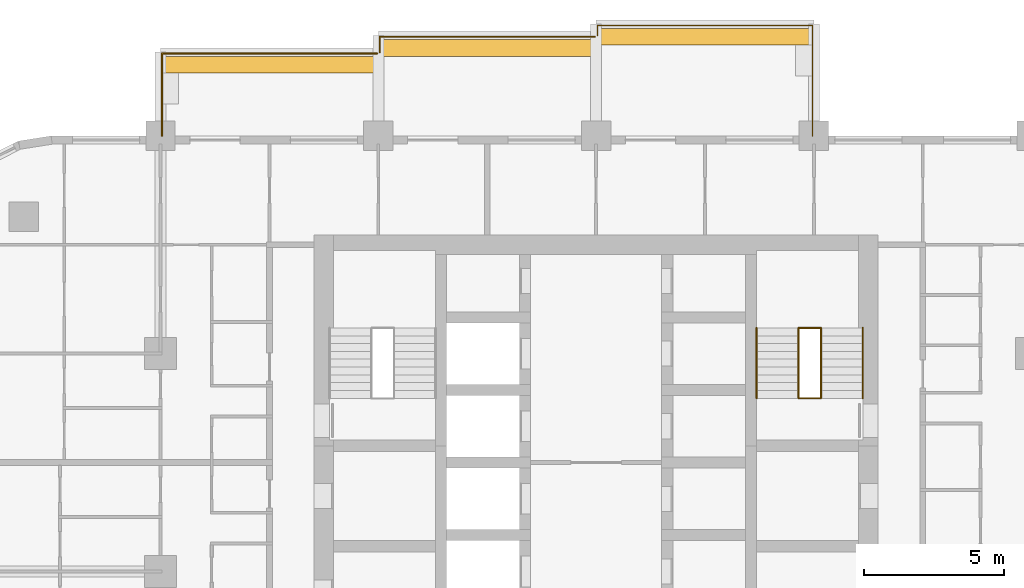
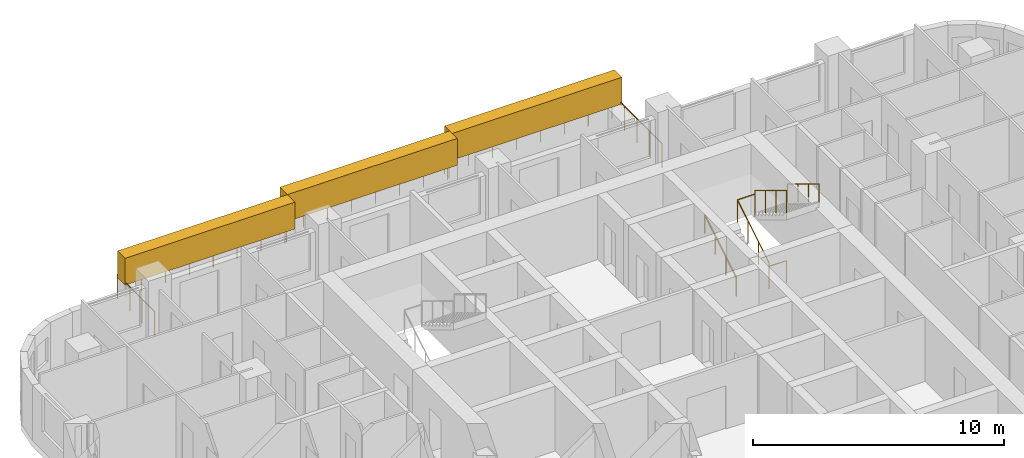
# One storey, part 17 of 17: 9 railings, 3 coverings, 1 element without a shape of its own.
"""IFC4 building model written with IfcOpenShell, lengths in metres."""

from ifc_helpers import new_model, si_unit, direction, frame, origin, origin_2d, place, context, subcontext, project, spatial, rectangle, circle, extrude, material, layer, layer_set, type_object, element, aggregate, save


model = new_model("IFC4")

# Units and contexts
model_context = context("Model", 3, precision=1e-05, world=origin(), true_north=direction((0.0, 1.0)))
body_context = subcontext(model_context, "Body", "Model", "MODEL_VIEW")
ifc_project = project(units=[si_unit("LENGTHUNIT", "METRE"), si_unit("AREAUNIT", "SQUARE_METRE"), si_unit("VOLUMEUNIT", "CUBIC_METRE"), si_unit("PLANEANGLEUNIT", "RADIAN"), si_unit("MASSUNIT", "GRAM", prefix="KILO")], contexts=[model_context])

# Site, building, storey
site_placement = place(None, origin())
site = spatial("IfcSite", under=ifc_project, at=site_placement, CompositionType="ELEMENT")
building_placement = place(site_placement, origin())
building = spatial("IfcBuilding", under=site, at=building_placement, Name="Ludao Terraces", CompositionType="ELEMENT")
storey_placement = place(building_placement, frame((0.0, 0.0, 51.199951171875)))
storey = spatial("IfcBuildingStorey", under=building, at=storey_placement, Name="L13", CompositionType="ELEMENT", Elevation=51.199951171875)

# Railings
ifc_material_1 = material(Name="Stainless steel 304", Category="steel")
railing_type_1 = type_object("IfcRailingType", Name="ENV Balcony glass guard 1200", PredefinedType="GUARDRAIL", material=ifc_material_1)
railing_1_placement = place(storey_placement, frame((69.449951171875, 88.39990234375, 0.0)))
element("IfcRailing", 1, at=railing_1_placement, inside=storey, type_object=railing_type_1, Name="Balcony guard L13 N1", PredefinedType="GUARDRAIL", context=body_context, shape_type="SweptSolid", body=[
    extrude(circle(Radius=0.02392578125, at=origin_2d()), frame((0.0, 0.0, 1.17578125), z_axis=(0.0, 1.0, 0.0), x_axis=(-1.0, 0.0, 0.0)), (0.0, 0.0, 1.0), 2.9501953125),
    extrude(circle(Radius=0.02392578125, at=origin_2d()), frame((0.0, 2.9501953125, 1.17578125), z_axis=(1.0, 0.0, 0.0), x_axis=(0.0, 1.0, 0.0)), (0.0, 0.0, 1.0), 7.699951171875),
    extrude(circle(Radius=0.02099609375, at=origin_2d()), origin(), (0.0, 0.0, 1.0), 1.15185546875),
    extrude(circle(Radius=0.02099609375, at=origin_2d()), frame((0.0, 0.9833984375, 0.0)), (0.0, 0.0, 1.0), 1.15185546875),
    extrude(circle(Radius=0.02099609375, at=origin_2d()), frame((0.0, 1.966796875, 0.0)), (0.0, 0.0, 1.0), 1.15185546875),
    extrude(circle(Radius=0.02099609375, at=origin_2d()), frame((0.0, 2.9501953125, 0.0)), (0.0, 0.0, 1.0), 1.15185546875),
    extrude(circle(Radius=0.02099609375, at=origin_2d()), frame((1.10009765625, 2.9501953125, 0.0)), (0.0, 0.0, 1.0), 1.15185546875),
    extrude(circle(Radius=0.02099609375, at=origin_2d()), frame((2.199951171875, 2.9501953125, 0.0)), (0.0, 0.0, 1.0), 1.15185546875),
    extrude(circle(Radius=0.02099609375, at=origin_2d()), frame((3.300048828125, 2.9501953125, 0.0)), (0.0, 0.0, 1.0), 1.15185546875),
    extrude(circle(Radius=0.02099609375, at=origin_2d()), frame((4.39990234375, 2.9501953125, 0.0)), (0.0, 0.0, 1.0), 1.15185546875),
    extrude(circle(Radius=0.02099609375, at=origin_2d()), frame((5.5, 2.9501953125, 0.0)), (0.0, 0.0, 1.0), 1.15185546875),
    extrude(circle(Radius=0.02099609375, at=origin_2d()), frame((6.599853515625, 2.9501953125, 0.0)), (0.0, 0.0, 1.0), 1.15185546875),
    extrude(circle(Radius=0.02099609375, at=origin_2d()), frame((7.699951171875, 2.9501953125, 0.0)), (0.0, 0.0, 1.0), 1.15185546875),
])
railing_2_placement = place(storey_placement, frame((77.25, 91.39990234375, 0.0)))
element("IfcRailing", 2, at=railing_2_placement, inside=storey, type_object=railing_type_1, Name="Balcony guard L13 N2", PredefinedType="GUARDRAIL", context=body_context, shape_type="SweptSolid", body=[
    extrude(circle(Radius=0.02392578125, at=origin_2d()), frame((0.0, 0.0, 1.17578125), z_axis=(0.0, 1.0, 0.0), x_axis=(-1.0, 0.0, 0.0)), (0.0, 0.0, 1.0), 0.550048828125),
    extrude(circle(Radius=0.02392578125, at=origin_2d()), frame((0.0, 0.550048828125, 1.17578125), z_axis=(1.0, 0.0, 0.0), x_axis=(0.0, 1.0, 0.0)), (0.0, 0.0, 1.0), 7.699951171875),
    extrude(circle(Radius=0.02099609375, at=origin_2d()), origin(), (0.0, 0.0, 1.0), 1.15185546875),
    extrude(circle(Radius=0.02099609375, at=origin_2d()), frame((0.0, 0.550048828125, 0.0)), (0.0, 0.0, 1.0), 1.15185546875),
    extrude(circle(Radius=0.02099609375, at=origin_2d()), frame((1.10009765625, 0.550048828125, 0.0)), (0.0, 0.0, 1.0), 1.15185546875),
    extrude(circle(Radius=0.02099609375, at=origin_2d()), frame((2.199951171875, 0.550048828125, 0.0)), (0.0, 0.0, 1.0), 1.15185546875),
    extrude(circle(Radius=0.02099609375, at=origin_2d()), frame((3.300048828125, 0.550048828125, 0.0)), (0.0, 0.0, 1.0), 1.15185546875),
    extrude(circle(Radius=0.02099609375, at=origin_2d()), frame((4.39990234375, 0.550048828125, 0.0)), (0.0, 0.0, 1.0), 1.15185546875),
    extrude(circle(Radius=0.02099609375, at=origin_2d()), frame((5.5, 0.550048828125, 0.0)), (0.0, 0.0, 1.0), 1.15185546875),
    extrude(circle(Radius=0.02099609375, at=origin_2d()), frame((6.599853515625, 0.550048828125, 0.0)), (0.0, 0.0, 1.0), 1.15185546875),
    extrude(circle(Radius=0.02099609375, at=origin_2d()), frame((7.699951171875, 0.550048828125, 0.0)), (0.0, 0.0, 1.0), 1.15185546875),
])
railing_3_placement = place(storey_placement, frame((85.050048828125, 92.0, 0.0)))
element("IfcRailing", 3, at=railing_3_placement, inside=storey, type_object=railing_type_1, Name="Balcony guard L13 N3", PredefinedType="GUARDRAIL", context=body_context, shape_type="SweptSolid", body=[
    extrude(circle(Radius=0.02392578125, at=origin_2d()), frame((0.0, 0.0, 1.17578125), z_axis=(0.0, 1.0, 0.0), x_axis=(-1.0, 0.0, 0.0)), (0.0, 0.0, 1.0), 0.35009765625),
    extrude(circle(Radius=0.02392578125, at=origin_2d()), frame((0.0, 0.35009765625, 1.17578125), z_axis=(1.0, 0.0, 0.0), x_axis=(0.0, 1.0, 0.0)), (0.0, 0.0, 1.0), 7.699951171875),
    extrude(circle(Radius=0.02392578125, at=origin_2d()), frame((7.699951171875, 0.35009765625, 1.17578125), z_axis=(0.0, -1.0, 0.0), x_axis=(1.0, 0.0, 0.0)), (0.0, 0.0, 1.0), 3.9501953125),
    extrude(circle(Radius=0.02099609375, at=origin_2d()), origin(), (0.0, 0.0, 1.0), 1.15185546875),
    extrude(circle(Radius=0.02099609375, at=origin_2d()), frame((0.0, 0.35009765625, 0.0)), (0.0, 0.0, 1.0), 1.15185546875),
    extrude(circle(Radius=0.02099609375, at=origin_2d()), frame((1.10009765625, 0.35009765625, 0.0)), (0.0, 0.0, 1.0), 1.15185546875),
    extrude(circle(Radius=0.02099609375, at=origin_2d()), frame((2.199951171875, 0.35009765625, 0.0)), (0.0, 0.0, 1.0), 1.15185546875),
    extrude(circle(Radius=0.02099609375, at=origin_2d()), frame((3.300048828125, 0.35009765625, 0.0)), (0.0, 0.0, 1.0), 1.15185546875),
    extrude(circle(Radius=0.02099609375, at=origin_2d()), frame((4.39990234375, 0.35009765625, 0.0)), (0.0, 0.0, 1.0), 1.15185546875),
    extrude(circle(Radius=0.02099609375, at=origin_2d()), frame((5.5, 0.35009765625, 0.0)), (0.0, 0.0, 1.0), 1.15185546875),
    extrude(circle(Radius=0.02099609375, at=origin_2d()), frame((6.599853515625, 0.35009765625, 0.0)), (0.0, 0.0, 1.0), 1.15185546875),
    extrude(circle(Radius=0.02099609375, at=origin_2d()), frame((7.699951171875, 0.35009765625, 0.0)), (0.0, 0.0, 1.0), 1.15185546875),
    extrude(circle(Radius=0.02099609375, at=origin_2d()), frame((7.699951171875, -0.637451171875, 0.0)), (0.0, 0.0, 1.0), 1.15185546875),
    extrude(circle(Radius=0.02099609375, at=origin_2d()), frame((7.699951171875, -1.625, 0.0)), (0.0, 0.0, 1.0), 1.15185546875),
    extrude(circle(Radius=0.02099609375, at=origin_2d()), frame((7.699951171875, -2.612548828125, 0.0)), (0.0, 0.0, 1.0), 1.15185546875),
    extrude(circle(Radius=0.02099609375, at=origin_2d()), frame((7.699951171875, -3.60009765625, 0.0)), (0.0, 0.0, 1.0), 1.15185546875),
])

# Coverings
ifc_material_2 = material(Name="Planting")
ifc_layer = layer(ifc_material_2, 0.60009765625)
ifc_layer_set = layer_set([ifc_layer], Name="ENV Planting hedge 600x1300")
covering_type = type_object("IfcCoveringType", Name="ENV Planting hedge 600x1300", PredefinedType="USERDEFINED", material=ifc_layer_set)
for number, where, z_axis, x_axis, name in (
    (4, (73.300048828125, 90.949951171875, 1.10009765625), (0.0, 0.0, 1.0), (1.0, 0.0, 0.0), "Planting hedge L13-N1"),
    (5, (81.10009765625, 91.550048828125, 1.10009765625), (0.0, 0.0, 1.0), (1.0, 0.0, 0.0), "Planting hedge L13-N2"),
    (6, (88.89990234375, 91.949951171875, 1.10009765625), (0.0, 0.0, 1.0), (1.0, 0.0, 0.0), "Planting hedge L13-N3"),
):
    element("IfcCovering", number, at=place(storey_placement, frame(where, z_axis=z_axis, x_axis=x_axis)), inside=storey, type_object=covering_type, Name=name, ObjectType="PLANTING", PredefinedType="USERDEFINED", context=body_context, shape_type="SweptSolid", body=[
        extrude(rectangle(XDim=7.800048828125, YDim=0.60009765625, at=origin_2d()), origin(), (0.0, 0.0, 1.0), 1.300048828125),
    ])

# Stair, railings
ifc_material_3 = material(Name="Concrete C40", Category="concrete")
stair_type = type_object("IfcStairType", Name="INT Stair", PredefinedType="HALF_TURN_STAIR", material=ifc_material_3)
stair_placement = place(storey_placement, origin())
stair = element("IfcStair", 7, at=stair_placement, inside=storey, type_object=stair_type, Name="EXIT STAIR 2", PredefinedType="HALF_TURN_STAIR")
railing_type_2 = type_object("IfcRailingType", Name="INT Stair guard 1100", PredefinedType="GUARDRAIL", material=ifc_material_1)
railing_4_placement = place(storey_placement, frame((92.25, 79.0, 0.170166015625)))
railing_4 = element("IfcRailing", 8, at=railing_4_placement, type_object=railing_type_2, Name="ST-L13-S2-R1G", PredefinedType="GUARDRAIL", context=body_context, shape_type="SweptSolid", body=[
    extrude(circle(Radius=0.02392578125, at=origin_2d()), frame((0.0, 0.0, 1.076171875), z_axis=(0.0, 0.854821627497, 0.518921945155), x_axis=(-1.0, 0.0, 0.0)), (0.0, 0.0, 1.0), 2.947998046875),
    extrude(circle(Radius=0.02099609375, at=origin_2d()), origin(), (0.0, 0.0, 1.0), 1.052001953125),
    extrude(circle(Radius=0.02099609375, at=origin_2d()), frame((0.0, 0.840087890625, 0.510009765625)), (0.0, 0.0, 1.0), 1.052001953125),
    extrude(circle(Radius=0.02099609375, at=origin_2d()), frame((0.0, 1.679931640625, 1.019775390625)), (0.0, 0.0, 1.0), 1.052001953125),
    extrude(circle(Radius=0.02099609375, at=origin_2d()), frame((0.0, 2.52001953125, 1.52978515625)), (0.0, 0.0, 1.0), 1.052001953125),
])
railing_5_placement = place(storey_placement, frame((93.050048828125, 81.52001953125, 1.8701171875)))
railing_5 = element("IfcRailing", 9, at=railing_5_placement, type_object=railing_type_2, Name="ST-L13-S2-R2G", PredefinedType="GUARDRAIL", context=body_context, shape_type="SweptSolid", body=[
    extrude(circle(Radius=0.02392578125, at=origin_2d()), frame((0.0, 0.0, 1.076171875), z_axis=(0.0, -0.85478489116, 0.518982456201), x_axis=(1.0, 0.0, 0.0)), (0.0, 0.0, 1.0), 2.9482421875),
    extrude(circle(Radius=0.02099609375, at=origin_2d()), origin(), (0.0, 0.0, 1.0), 1.052001953125),
    extrude(circle(Radius=0.02099609375, at=origin_2d()), frame((0.0, -0.840087890625, 0.510009765625)), (0.0, 0.0, 1.0), 1.052001953125),
    extrude(circle(Radius=0.02099609375, at=origin_2d()), frame((0.0, -1.679931640625, 1.02001953125)), (0.0, 0.0, 1.0), 1.052001953125),
    extrude(circle(Radius=0.02099609375, at=origin_2d()), frame((0.0, -2.52001953125, 1.530029296875)), (0.0, 0.0, 1.0), 1.052001953125),
])
railing_6_placement = place(storey_placement, frame((92.25, 81.52001953125, 1.699951171875)))
railing_6 = element("IfcRailing", 10, at=railing_6_placement, type_object=railing_type_2, Name="ST-L13-S2-E1G", PredefinedType="GUARDRAIL", context=body_context, shape_type="SweptSolid", body=[
    extrude(circle(Radius=0.02392578125, at=origin_2d()), frame((0.0, 0.0, 1.076171875), z_axis=(1.0, 0.0, 0.0), x_axis=(0.0, 1.0, 0.0)), (0.0, 0.0, 1.0), 0.800048828125),
    extrude(circle(Radius=0.02099609375, at=origin_2d()), origin(), (0.0, 0.0, 1.0), 1.052001953125),
    extrude(circle(Radius=0.02099609375, at=origin_2d()), frame((0.800048828125, 0.0, 0.0)), (0.0, 0.0, 1.0), 1.052001953125),
])
railing_7_placement = place(storey_placement, frame((92.25, 79.0, 0.0)))
railing_7 = element("IfcRailing", 11, at=railing_7_placement, type_object=railing_type_2, Name="ST-L13-S2-E2G", PredefinedType="GUARDRAIL", context=body_context, shape_type="SweptSolid", body=[
    extrude(circle(Radius=0.02392578125, at=origin_2d()), frame((0.0, 0.0, 1.076171875), z_axis=(1.0, 0.0, 0.0), x_axis=(0.0, 1.0, 0.0)), (0.0, 0.0, 1.0), 0.800048828125),
    extrude(circle(Radius=0.02099609375, at=origin_2d()), origin(), (0.0, 0.0, 1.0), 1.052001953125),
    extrude(circle(Radius=0.02099609375, at=origin_2d()), frame((0.800048828125, 0.0, 0.0)), (0.0, 0.0, 1.0), 1.052001953125),
])
railing_type_3 = type_object("IfcRailingType", Name="INT Stair handrail 900", PredefinedType="HANDRAIL", material=ifc_material_1)
railing_8_placement = place(storey_placement, frame((90.75, 79.0, 0.170166015625)))
railing_8 = element("IfcRailing", 12, at=railing_8_placement, type_object=railing_type_3, Name="ST-L13-S2-R1H", PredefinedType="HANDRAIL", context=body_context, shape_type="SweptSolid", body=[
    extrude(circle(Radius=0.02392578125, at=origin_2d()), frame((0.0, 0.0, 0.8759765625), z_axis=(0.0, 0.854821627497, 0.518921945155), x_axis=(-1.0, 0.0, 0.0)), (0.0, 0.0, 1.0), 2.947998046875),
    extrude(circle(Radius=0.02099609375, at=origin_2d()), origin(), (0.0, 0.0, 1.0), 0.851806640625),
    extrude(circle(Radius=0.02099609375, at=origin_2d()), frame((0.0, 0.840087890625, 0.510009765625)), (0.0, 0.0, 1.0), 0.851806640625),
    extrude(circle(Radius=0.02099609375, at=origin_2d()), frame((0.0, 1.679931640625, 1.019775390625)), (0.0, 0.0, 1.0), 0.851806640625),
    extrude(circle(Radius=0.02099609375, at=origin_2d()), frame((0.0, 2.52001953125, 1.52978515625)), (0.0, 0.0, 1.0), 0.851806640625),
])
railing_9_placement = place(storey_placement, frame((94.550048828125, 81.52001953125, 1.8701171875)))
railing_9 = element("IfcRailing", 13, at=railing_9_placement, type_object=railing_type_3, Name="ST-L13-S2-R2H", PredefinedType="HANDRAIL", context=body_context, shape_type="SweptSolid", body=[
    extrude(circle(Radius=0.02392578125, at=origin_2d()), frame((0.0, 0.0, 0.8759765625), z_axis=(0.0, -0.85478489116, 0.518982456201), x_axis=(1.0, 0.0, 0.0)), (0.0, 0.0, 1.0), 2.9482421875),
    extrude(circle(Radius=0.02099609375, at=origin_2d()), origin(), (0.0, 0.0, 1.0), 0.851806640625),
    extrude(circle(Radius=0.02099609375, at=origin_2d()), frame((0.0, -0.840087890625, 0.510009765625)), (0.0, 0.0, 1.0), 0.851806640625),
    extrude(circle(Radius=0.02099609375, at=origin_2d()), frame((0.0, -1.679931640625, 1.02001953125)), (0.0, 0.0, 1.0), 0.851806640625),
    extrude(circle(Radius=0.02099609375, at=origin_2d()), frame((0.0, -2.52001953125, 1.530029296875)), (0.0, 0.0, 1.0), 0.851806640625),
])
aggregate(stair, [railing_4, railing_8, railing_5, railing_9, railing_6, railing_7])

save(model, "model.ifc")
